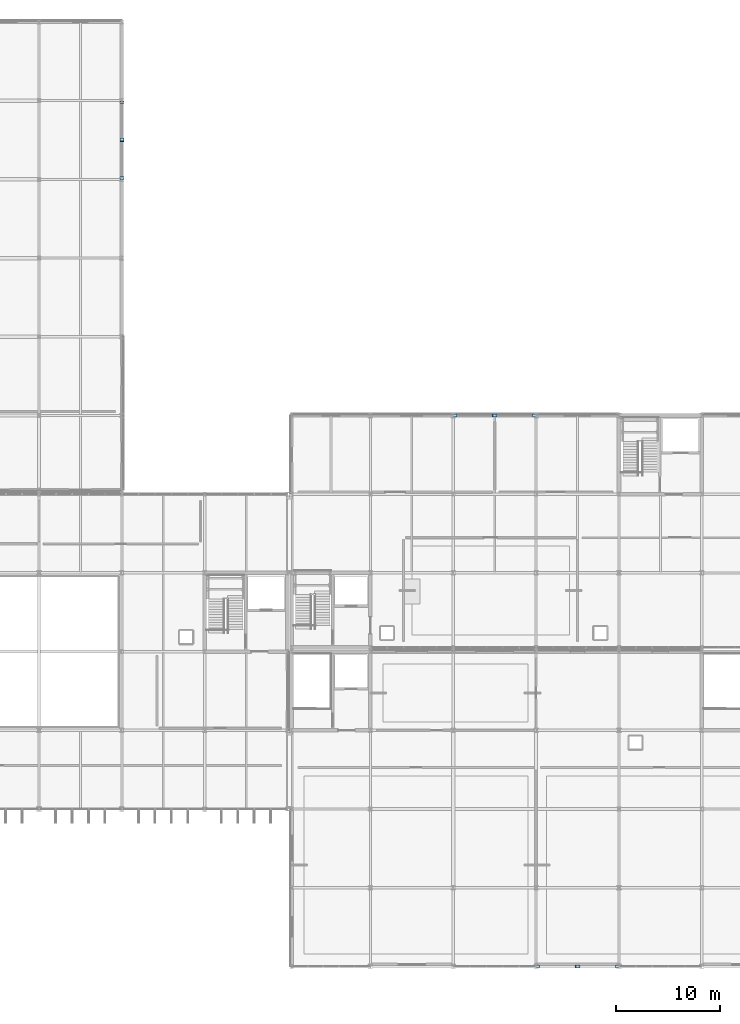
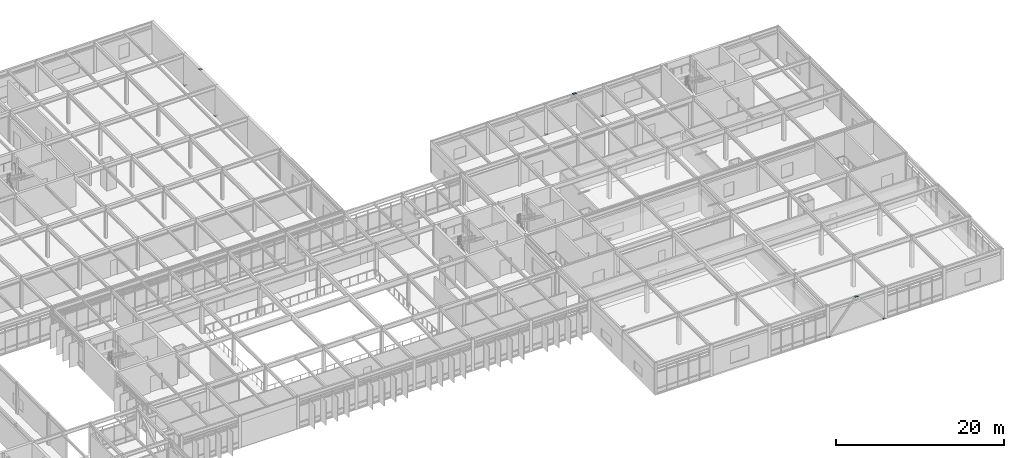
# One storey, part 79 of 104: 12 plates.
"""IFC4 building model written with IfcOpenShell, lengths in metres."""

from ifc_helpers import new_model, si_unit, direction, frame, origin, origin_2d, place, context, subcontext, project, spatial, rectangle, extrude, material, layer, layer_set, type_object, element, save


model = new_model("IFC4")

# Units and contexts
model_context = context("Model", 3, precision=1e-05, world=origin(), true_north=direction((0.0, 1.0)))
body_context = subcontext(model_context, "Body", "Model", "MODEL_VIEW")
ifc_project = project(units=[si_unit("LENGTHUNIT", "METRE"), si_unit("AREAUNIT", "SQUARE_METRE"), si_unit("VOLUMEUNIT", "CUBIC_METRE"), si_unit("PLANEANGLEUNIT", "RADIAN"), si_unit("MASSUNIT", "GRAM", prefix="KILO")], contexts=[model_context])

# Site, building, storey
site_placement = place(None, origin())
site = spatial("IfcSite", under=ifc_project, at=site_placement, CompositionType="ELEMENT")
building_placement = place(site_placement, origin())
building = spatial("IfcBuilding", under=site, at=building_placement, Name="Zulena Civic Courthouse", CompositionType="ELEMENT")
storey_placement = place(building_placement, frame((0.0, 0.0, 15.60009765625)))
storey = spatial("IfcBuildingStorey", under=building, at=storey_placement, Name="L03", CompositionType="ELEMENT", Elevation=15.60009765625)

# Plates
ifc_material = material(Name="Steel ASTM A572 Grade 50", Category="steel")
ifc_layer = layer(ifc_material, 0.02197265625)
ifc_layer_set = layer_set([ifc_layer], Name="Steel ASTM A572 Grade 50")
plate_type = type_object("IfcPlateType", Name="GussetPlate_380x280x22", PredefinedType="SHEET", material=ifc_layer_set)
for number, where, z_axis, x_axis, name in (
    (1, (148.14990234375, 0.0, -0.0009765625), (0.0, 0.0, 1.0), (1.0, 0.0, 0.0), "plate:br:V1:L03:2:0:0"),
    (2, (151.949951171875, 0.0, 4.548828125), (0.0, 0.0, 1.0), (1.0, 0.0, 0.0), "plate:br:V1:L03:2:0:1"),
    (3, (155.85009765625, 0.0, -0.0009765625), (0.0, 0.0, 1.0), (1.0, 0.0, 0.0), "plate:br:V1:L03:2:1:0"),
    (4, (152.050048828125, 0.0, 4.548828125), (0.0, 0.0, 1.0), (1.0, 0.0, 0.0), "plate:br:V1:L03:2:1:1"),
    (5, (140.14990234375, 53.199951171875, -0.0009765625), (0.0, 0.0, 1.0), (1.0, 0.0, 0.0), "plate:br:V3:L03:3:0:0"),
    (6, (143.949951171875, 53.199951171875, 4.548828125), (0.0, 0.0, 1.0), (1.0, 0.0, 0.0), "plate:br:V3:L03:3:0:1"),
    (7, (147.85009765625, 53.199951171875, -0.0009765625), (0.0, 0.0, 1.0), (1.0, 0.0, 0.0), "plate:br:V3:L03:3:1:0"),
    (8, (144.050048828125, 53.199951171875, 4.548828125), (0.0, 0.0, 1.0), (1.0, 0.0, 0.0), "plate:br:V3:L03:3:1:1"),
    (9, (108.0, 76.14990234375, -0.0009765625), (0.0, 0.0, 1.0), (1.0, 0.0, 0.0), "plate:br:V5:L03:6:0:0"),
    (10, (108.0, 79.75, 4.548828125), (0.0, 0.0, 1.0), (1.0, 0.0, 0.0), "plate:br:V5:L03:6:0:1"),
    (11, (108.0, 83.449951171875, -0.0009765625), (0.0, 0.0, 1.0), (1.0, 0.0, 0.0), "plate:br:V5:L03:6:1:0"),
    (12, (108.0, 79.85009765625, 4.548828125), (0.0, 0.0, 1.0), (1.0, 0.0, 0.0), "plate:br:V5:L03:6:1:1"),
):
    element("IfcPlate", number, at=place(storey_placement, frame(where, z_axis=z_axis, x_axis=x_axis)), inside=storey, type_object=plate_type, Name=name, PredefinedType="SHEET", context=body_context, shape_type="SweptSolid", body=[
        extrude(rectangle(XDim=0.3798828125, YDim=0.280029296875, at=origin_2d()), origin(), (0.0, 0.0, 1.0), 0.02197265625),
    ])

save(model, "model.ifc")
